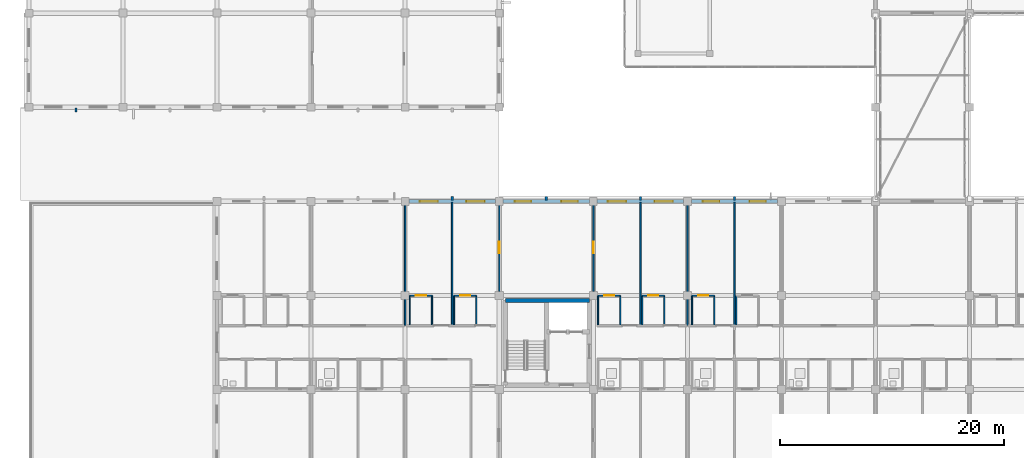
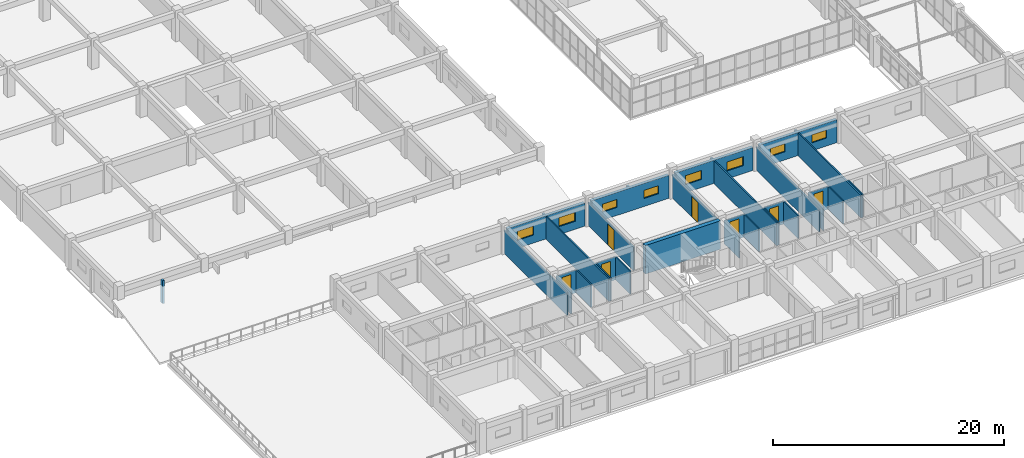
# One storey, part 112 of 148: 33 walls, 8 windows, 7 doors, 15 openings.
"""IFC4 building model written with IfcOpenShell, lengths in metres."""

import ifcopenshell
import ifcopenshell.guid

model = None  # the IFC model being written
_history = None  # IfcOwnerHistory: only IFC2X3 demands one
_inside = {}  # id of a spatial element -> (the spatial element, [elements in it])
_under = {}  # id of a project, library or spatial element -> (it, [spatial elements below it])
_declared = {}  # id of a project -> (the project, [libraries it declares])
_typed = {}  # id of a type object -> (the type object, [elements of that type])
_made_of = {}  # id of a material, layer set ... -> (it, [elements and type objects made of it])


def new_model(schema):
    """Start an empty IFC model of exactly this schema.

    Asked for "IFC4X3", IfcOpenShell would pick the latest addendum, in which some entities
    have other attributes; the version numbers below select the first issue.
    IFC2X3 requires an IfcOwnerHistory on every rooted entity: one is made here for all.
    """
    global model, _history
    if schema == "IFC4X3":
        model = ifcopenshell.file(schema_version=(4, 3, 0, 0))
    else:
        model = ifcopenshell.file(schema=schema)
    _inside.clear()
    _under.clear()
    _declared.clear()
    _typed.clear()
    _made_of.clear()
    _history = None
    if model.schema == "IFC2X3":
        org = make("IfcOrganization", Name="unknown")
        user = make(
            "IfcPersonAndOrganization",
            ThePerson=make("IfcPerson", FamilyName="unknown"),
            TheOrganization=org,
        )
        app = make(
            "IfcApplication",
            ApplicationDeveloper=org,
            Version="unknown",
            ApplicationFullName="unknown",
            ApplicationIdentifier="unknown",
        )
        _history = make(
            "IfcOwnerHistory",
            OwningUser=user,
            OwningApplication=app,
            ChangeAction="ADDED",
            CreationDate=0,
        )
    return model


def make(cls, **values):
    """One entity of the class cls with the attributes given. An attribute that is None is left unset."""
    return model.create_entity(
        cls, **{name: value for name, value in values.items() if value is not None}
    )


def rooted(cls, **values):
    """An entity with a GlobalId (a new one), such as an element, a storey or a relation."""
    return make(cls, GlobalId=ifcopenshell.guid.new(), OwnerHistory=_history, **values)


def si_unit(unit_type, name, prefix=None):
    """IfcSIUnit, for example si_unit("LENGTHUNIT", "METRE", prefix="MILLI")."""
    return make("IfcSIUnit", UnitType=unit_type, Prefix=prefix, Name=name)


def assignment(units):
    """IfcUnitAssignment: the units of a project."""
    return None if units is None else make("IfcUnitAssignment", Units=units)


def point(xyz):
    """IfcCartesianPoint."""
    return None if xyz is None else make("IfcCartesianPoint", Coordinates=xyz)


def direction(xyz):
    """IfcDirection."""
    return None if xyz is None else make("IfcDirection", DirectionRatios=xyz)


def frame(location, z_axis=None, x_axis=None):
    """IfcAxis2Placement3D, a coordinate frame: its origin and axes. An axis left out is left unset."""
    return make(
        "IfcAxis2Placement3D",
        Location=point(location),
        Axis=direction(z_axis),
        RefDirection=direction(x_axis),
    )


def frame_2d(location, x_axis=None):
    """IfcAxis2Placement2D, a coordinate frame in the plane: its origin and x axis."""
    return make(
        "IfcAxis2Placement2D", Location=point(location), RefDirection=direction(x_axis)
    )


def origin():
    """The frame at (0, 0, 0) with its axes left unset."""
    return frame((0.0, 0.0, 0.0))


def place(relative_to, where):
    """IfcLocalPlacement: puts the frame where relative to a parent placement (None: the world)."""
    return make(
        "IfcLocalPlacement", PlacementRelTo=relative_to, RelativePlacement=where
    )


def context(
    kind, dimensions, precision=None, world=None, true_north=None, identifier=None
):
    """IfcGeometricRepresentationContext, for example the 3D "Model" context."""
    return make(
        "IfcGeometricRepresentationContext",
        ContextIdentifier=identifier,
        ContextType=kind,
        CoordinateSpaceDimension=dimensions,
        Precision=precision,
        WorldCoordinateSystem=world,
        TrueNorth=true_north,
    )


def subcontext(parent, identifier, kind, view, scale=None):
    """IfcGeometricRepresentationSubContext, for example "Body" below "Model"."""
    return make(
        "IfcGeometricRepresentationSubContext",
        ContextIdentifier=identifier,
        ContextType=kind,
        ParentContext=parent,
        TargetScale=scale,
        TargetView=view,
    )


def project(units=None, contexts=None):
    """IfcProject with its units and contexts."""
    return rooted(
        "IfcProject",
        Name="project",
        RepresentationContexts=contexts,
        UnitsInContext=assignment(units),
    )


def spatial(cls, under=None, at=None, **own):
    """A site, building, storey or space (cls), placed at a placement, below another one or the project."""
    s = rooted(cls, ObjectPlacement=at, **own)
    if under is not None:
        _under.setdefault(under.id(), (under, []))[1].append(s)
    return s


def profile(cls, at=None, kind="AREA", **sizes):
    """A parametric profile (cls). Its sizes go by their IFC names, for example OverallWidth=200.0."""
    return make(cls, ProfileType=kind, Position=at, **sizes)


def rectangle(**sizes):
    """IfcRectangleProfileDef."""
    return profile("IfcRectangleProfileDef", **sizes)


def extrude(swept, where, along, depth):
    """IfcExtrudedAreaSolid: the profile swept, set in the frame where, extruded along a direction by depth."""
    return make(
        "IfcExtrudedAreaSolid",
        SweptArea=swept,
        Position=where,
        ExtrudedDirection=direction(along),
        Depth=depth,
    )


def shape(context_of_items, identifier, shape_type, items):
    """IfcShapeRepresentation: the items that make up one representation, for example the "Body"."""
    return make(
        "IfcShapeRepresentation",
        ContextOfItems=context_of_items,
        RepresentationIdentifier=identifier,
        RepresentationType=shape_type,
        Items=items,
    )


def material(Name=None, Category=None):
    """IfcMaterial."""
    return make("IfcMaterial", Name=Name, Category=Category)


def layer(
    of_material, thickness, ventilated=None, Name=None, Category=None, Priority=None
):
    """IfcMaterialLayer: one layer of a wall or slab, of a material (None: an air gap)."""
    return make(
        "IfcMaterialLayer",
        Material=of_material,
        LayerThickness=thickness,
        IsVentilated=ventilated,
        Name=Name,
        Category=Category,
        Priority=Priority,
    )


def layer_set(layers, Name=None):
    """IfcMaterialLayerSet."""
    return make("IfcMaterialLayerSet", MaterialLayers=layers, LayerSetName=Name)


def made_of(thing, what):
    """Note that an element or type object is made of a material, layer set ...; save() writes the relation."""
    if what is not None:
        _made_of.setdefault(what.id(), (what, []))[1].append(thing)
    return thing


def type_object(cls, material=None, **own):
    """A type object (cls), such as IfcWallType, which elements share."""
    return made_of(rooted(cls, **own), material)


def element(
    cls,
    number,
    at=None,
    inside=None,
    cuts=None,
    type_object=None,
    material=None,
    context=None,
    identifier="Body",
    shape_type=None,
    held_by="IfcProductDefinitionShape",
    body=None,
    shapes=None,
    **own,
):
    """One element of the class cls, such as IfcWall. Its Tag is "e" and its number.

    at: its placement. inside: the storey or other place that contains it. cuts: it is an
    opening in that element (IfcRelVoidsElement). A single representation is given by context,
    identifier, shape_type and body (its items); several are given by shapes. held_by: the class
    of the entity that holds the representations. save() writes the other relations.
    """
    e = rooted(cls, Tag="e%d" % number, ObjectPlacement=at, **own)
    if body is not None:
        shapes = [shape(context, identifier, shape_type, body)]
    if shapes is not None:
        e.Representation = make(held_by, Representations=shapes)
    if inside is not None:
        _inside.setdefault(inside.id(), (inside, []))[1].append(e)
    if cuts is not None:
        rooted(
            "IfcRelVoidsElement", RelatingBuildingElement=cuts, RelatedOpeningElement=e
        )
    if type_object is not None:
        _typed.setdefault(type_object.id(), (type_object, []))[1].append(e)
    return made_of(e, material)


def fill(opening, filler):
    """IfcRelFillsElement: the door or window that sits in an opening."""
    return rooted(
        "IfcRelFillsElement",
        RelatingOpeningElement=opening,
        RelatedBuildingElement=filler,
    )


def aggregate(whole, parts):
    """IfcRelAggregates: a whole, such as a stair, and the parts it consists of."""
    return rooted("IfcRelAggregates", RelatingObject=whole, RelatedObjects=parts)


def save(model, path):
    """Write the relations noted so far, then the file.

    IfcRelAggregates (storeys below a building ...), IfcRelContainedInSpatialStructure (elements
    in a storey), IfcRelDefinesByType, IfcRelAssociatesMaterial and IfcRelDeclares: one each for
    every whole, place, type object, material and project.
    """
    for whole, parts in _under.values():
        aggregate(whole, parts)
    for where, things in _inside.values():
        rooted(
            "IfcRelContainedInSpatialStructure",
            RelatedElements=things,
            RelatingStructure=where,
        )
    for kind, things in _typed.values():
        rooted("IfcRelDefinesByType", RelatedObjects=things, RelatingType=kind)
    for what, things in _made_of.values():
        rooted("IfcRelAssociatesMaterial", RelatedObjects=things, RelatingMaterial=what)
    for by, libraries in _declared.values():
        rooted("IfcRelDeclares", RelatingContext=by, RelatedDefinitions=libraries)
    model.write(path)


model = new_model("IFC4")

# Units and contexts
model_context = context("Model", 3, precision=1e-05, world=origin(), true_north=direction((0.0, 1.0)))
body_context = subcontext(model_context, "Body", "Model", "MODEL_VIEW")
ifc_project = project(units=[si_unit("LENGTHUNIT", "METRE"), si_unit("AREAUNIT", "SQUARE_METRE"), si_unit("VOLUMEUNIT", "CUBIC_METRE"), si_unit("PLANEANGLEUNIT", "RADIAN"), si_unit("MASSUNIT", "GRAM", prefix="KILO")], contexts=[model_context])

# Site, building, storey
site_placement = place(None, origin())
site = spatial("IfcSite", under=ifc_project, at=site_placement, CompositionType="ELEMENT")
building_placement = place(site_placement, origin())
building = spatial("IfcBuilding", under=site, at=building_placement, Name="Trelvath General Hospital", CompositionType="ELEMENT")
storey_placement = place(building_placement, frame((0.0, 0.0, 12.89990234375)))
storey = spatial("IfcBuildingStorey", under=building, at=storey_placement, Name="L03", CompositionType="ELEMENT", Elevation=12.89990234375)

# Walls
ifc_material_1 = material(Name="Precast concrete C40/50", Category="concrete")
ifc_layer_1 = layer(ifc_material_1, 0.199951171875)
ifc_layer_set_1 = layer_set([ifc_layer_1], Name="Precast concrete C40/50")
wall_type_1 = type_object("IfcWallType", Name="BriseSoleilRib 200", PredefinedType="ELEMENTEDWALL", material=ifc_layer_set_1)
wall_1_placement = place(storey_placement, frame((4.199951171875, 33.52490234375, 0.0), z_axis=(0.0, 0.0, 1.0), x_axis=(0.0, -1.0, 0.0)))
element("IfcWall", 1, at=wall_1_placement, inside=storey, type_object=wall_type_1, Name="Precast Concrete Brise-Soleil Rib Fin L03-226", PredefinedType="ELEMENTEDWALL", context=body_context, shape_type="SweptSolid", body=[
    extrude(rectangle(XDim=0.33984375, YDim=0.199951171875, at=frame_2d((0.169921875, 0.0))), origin(), (0.0, 0.0, 1.0), 2.420166015625),
])
for number, where, z_axis, x_axis, name in (
    (2, (37.800048828125, 25.27490234375, 0.0), (0.0, 0.0, 1.0), (0.0, 1.0, 0.0), "Precast Concrete Brise-Soleil Rib Fin L03-247"),
    (3, (46.199951171875, 25.27490234375, 0.0), (0.0, 0.0, 1.0), (0.0, 1.0, 0.0), "Precast Concrete Brise-Soleil Rib Fin L03-258"),
    (4, (54.60009765625, 25.27490234375, 0.0), (0.0, 0.0, 1.0), (0.0, 1.0, 0.0), "Precast Concrete Brise-Soleil Rib Fin L03-261"),
    (5, (63.0, 25.27490234375, 0.0), (0.0, 0.0, 1.0), (0.0, 1.0, 0.0), "Precast Concrete Brise-Soleil Rib Fin L03-265"),
):
    element("IfcWall", number, at=place(storey_placement, frame(where, z_axis=z_axis, x_axis=x_axis)), inside=storey, type_object=wall_type_1, Name=name, PredefinedType="ELEMENTEDWALL", context=body_context, shape_type="SweptSolid", body=[
        extrude(rectangle(XDim=0.340087890625, YDim=0.199951171875, at=frame_2d((0.169921875, 0.0))), origin(), (0.0, 0.0, 1.0), 2.420166015625),
    ])
ifc_material_2 = material(Name="Concrete C40/50", Category="concrete")
ifc_layer_2 = layer(ifc_material_2, 0.39990234375)
ifc_layer_set_2 = layer_set([ifc_layer_2], Name="Concrete C40/50")
wall_type_2 = type_object("IfcWallType", Name="CoreShearWall 400", PredefinedType="SHEAR", material=ifc_layer_set_2)
wall_2_placement = place(storey_placement, frame((42.550048828125, 16.35009765625, 0.0), z_axis=(0.0, 0.0, 1.0), x_axis=(1.0, 0.0, 0.0)))
element("IfcWall", 6, at=wall_2_placement, inside=storey, type_object=wall_type_2, Name="Core Shear Wall C4 N L03", PredefinedType="SHEAR", context=body_context, shape_type="SweptSolid", body=[
    extrude(rectangle(XDim=7.5, YDim=0.39990234375, at=frame_2d((3.75, 0.0))), origin(), (0.0, 0.0, 1.0), 3.02001953125),
])
ifc_material_3 = material(Name="Moisture-resistant tile partition")
ifc_layer_3 = layer(ifc_material_3, 0.110107421875)
ifc_layer_set_3 = layer_set([ifc_layer_3], Name="Moisture-resistant tile partition")
wall_type_3 = type_object("IfcWallType", Name="EnSuiteWetWall 110", PredefinedType="PARTITIONING", material=ifc_layer_set_3)
for number, where, z_axis, x_axis, name in (
    (7, (34.02001953125, 14.169921875, 0.0), (0.0, 0.0, 1.0), (0.0, 1.0, 0.0), "En-Suite W Wall N L03-1085"),
    (8, (36.0, 14.169921875, 0.0), (0.0, 0.0, 1.0), (0.0, 1.0, 0.0), "En-Suite E Wall N L03-1086"),
):
    element("IfcWall", number, at=place(storey_placement, frame(where, z_axis=z_axis, x_axis=x_axis)), inside=storey, type_object=wall_type_3, Name=name, PredefinedType="PARTITIONING", context=body_context, shape_type="SweptSolid", body=[
        extrude(rectangle(XDim=2.610107421875, YDim=0.110107421875, at=frame_2d((1.30517578125, 0.0))), origin(), (0.0, 0.0, 1.0), 2.420166015625),
    ])

# Wall, opening, door
wall_3_placement = place(storey_placement, frame((34.02001953125, 16.780029296875, 0.0), z_axis=(0.0, 0.0, 1.0), x_axis=(1.0, 0.0, 0.0)))
wall_3 = element("IfcWall", 9, at=wall_3_placement, inside=storey, type_object=wall_type_3, Name="En-Suite Bathroom N Partition L03-1087", PredefinedType="PARTITIONING", context=body_context, shape_type="SweptSolid", body=[
    extrude(rectangle(XDim=1.97998046875, YDim=0.110107421875, at=frame_2d((0.989990234375, 0.0))), origin(), (0.0, 0.0, 1.0), 2.420166015625),
])
opening_1_placement = place(wall_3_placement, frame((0.5400390625, 0.0, 0.0)))
opening_1 = element("IfcOpeningElement", 10, at=opening_1_placement, cuts=wall_3, Name="Opening D-3-0830", PredefinedType="OPENING", context=body_context, shape_type="SweptSolid", body=[
    extrude(rectangle(XDim=0.89990234375, YDim=2.10009765625, at=frame_2d((0.449951171875, 1.050048828125))), frame((0.0, 0.06494140625, 0.0), z_axis=(0.0, -1.0, 0.0), x_axis=(1.0, 0.0, 0.0)), (0.0, 0.0, 1.0), 0.130126953125),
])
ifc_material_4 = material(Name="Moisture-sealed timber leaf", Category="wood")
door_type_1 = type_object("IfcDoorType", Name="Door EnSuite 900x2100", OperationType="NOTDEFINED", PredefinedType="DOOR", material=ifc_material_4)
door_1_placement = place(opening_1_placement, origin())
door_1 = element("IfcDoor", 11, at=door_1_placement, inside=storey, type_object=door_type_1, Name="En-Suite Bathroom N Door L03-830", OperationType="SINGLE_SWING_RIGHT", OverallHeight=2.10009765625, OverallWidth=0.89990234375, PredefinedType="DOOR", context=body_context, shape_type="SweptSolid", body=[
    extrude(rectangle(XDim=0.89990234375, YDim=2.10009765625, at=frame_2d((0.449951171875, 1.050048828125))), frame((0.0, 0.02490234375, 0.0), z_axis=(0.0, -1.0, 0.0), x_axis=(1.0, 0.0, 0.0)), (0.0, 0.0, 1.0), 0.050048828125),
])
fill(opening_1, door_1)

# Walls
for number, where, z_axis, x_axis, name in (
    (12, (37.9599609375, 14.169921875, 0.0), (0.0, 0.0, 1.0), (0.0, 1.0, 0.0), "En-Suite W Wall N L03-1088"),
    (13, (39.93994140625, 14.169921875, 0.0), (0.0, 0.0, 1.0), (0.0, 1.0, 0.0), "En-Suite E Wall N L03-1089"),
):
    element("IfcWall", number, at=place(storey_placement, frame(where, z_axis=z_axis, x_axis=x_axis)), inside=storey, type_object=wall_type_3, Name=name, PredefinedType="PARTITIONING", context=body_context, shape_type="SweptSolid", body=[
        extrude(rectangle(XDim=2.610107421875, YDim=0.110107421875, at=frame_2d((1.30517578125, 0.0))), origin(), (0.0, 0.0, 1.0), 2.420166015625),
    ])

# Wall, opening, door
wall_4_placement = place(storey_placement, frame((37.9599609375, 16.780029296875, 0.0), z_axis=(0.0, 0.0, 1.0), x_axis=(1.0, 0.0, 0.0)))
wall_4 = element("IfcWall", 14, at=wall_4_placement, inside=storey, type_object=wall_type_3, Name="En-Suite Bathroom N Partition L03-1090", PredefinedType="PARTITIONING", context=body_context, shape_type="SweptSolid", body=[
    extrude(rectangle(XDim=1.97998046875, YDim=0.110107421875, at=frame_2d((0.989990234375, 0.0))), origin(), (0.0, 0.0, 1.0), 2.420166015625),
])
opening_2_placement = place(wall_4_placement, frame((0.5400390625, 0.0, 0.0)))
opening_2 = element("IfcOpeningElement", 15, at=opening_2_placement, cuts=wall_4, Name="Opening D-3-0831", PredefinedType="OPENING", context=body_context, shape_type="SweptSolid", body=[
    extrude(rectangle(XDim=0.89990234375, YDim=2.10009765625, at=frame_2d((0.449951171875, 1.050048828125))), frame((0.0, 0.06494140625, 0.0), z_axis=(0.0, -1.0, 0.0), x_axis=(1.0, 0.0, 0.0)), (0.0, 0.0, 1.0), 0.130126953125),
])
door_2_placement = place(opening_2_placement, origin())
door_2 = element("IfcDoor", 16, at=door_2_placement, inside=storey, type_object=door_type_1, Name="En-Suite Bathroom N Door L03-831", OperationType="SINGLE_SWING_LEFT", OverallHeight=2.10009765625, OverallWidth=0.89990234375, PredefinedType="DOOR", context=body_context, shape_type="SweptSolid", body=[
    extrude(rectangle(XDim=0.89990234375, YDim=2.10009765625, at=frame_2d((0.449951171875, 1.050048828125))), frame((0.0, 0.02490234375, 0.0), z_axis=(0.0, -1.0, 0.0), x_axis=(1.0, 0.0, 0.0)), (0.0, 0.0, 1.0), 0.050048828125),
])
fill(opening_2, door_2)

# Walls
for number, where, z_axis, x_axis, name in (
    (17, (50.820068359375, 14.169921875, 0.0), (0.0, 0.0, 1.0), (0.0, 1.0, 0.0), "En-Suite W Wall N L03-1106"),
    (18, (52.800048828125, 14.169921875, 0.0), (0.0, 0.0, 1.0), (0.0, 1.0, 0.0), "En-Suite E Wall N L03-1107"),
):
    element("IfcWall", number, at=place(storey_placement, frame(where, z_axis=z_axis, x_axis=x_axis)), inside=storey, type_object=wall_type_3, Name=name, PredefinedType="PARTITIONING", context=body_context, shape_type="SweptSolid", body=[
        extrude(rectangle(XDim=2.610107421875, YDim=0.110107421875, at=frame_2d((1.30517578125, 0.0))), origin(), (0.0, 0.0, 1.0), 2.420166015625),
    ])

# Wall, opening, door
wall_5_placement = place(storey_placement, frame((50.820068359375, 16.780029296875, 0.0), z_axis=(0.0, 0.0, 1.0), x_axis=(1.0, 0.0, 0.0)))
wall_5 = element("IfcWall", 19, at=wall_5_placement, inside=storey, type_object=wall_type_3, Name="En-Suite Bathroom N Partition L03-1108", PredefinedType="PARTITIONING", context=body_context, shape_type="SweptSolid", body=[
    extrude(rectangle(XDim=1.97998046875, YDim=0.110107421875, at=frame_2d((0.989990234375, 0.0))), origin(), (0.0, 0.0, 1.0), 2.420166015625),
])
opening_3_placement = place(wall_5_placement, frame((0.5400390625, 0.0, 0.0)))
opening_3 = element("IfcOpeningElement", 20, at=opening_3_placement, cuts=wall_5, Name="Opening D-3-0842", PredefinedType="OPENING", context=body_context, shape_type="SweptSolid", body=[
    extrude(rectangle(XDim=0.89990234375, YDim=2.10009765625, at=frame_2d((0.449951171875, 1.050048828125))), frame((0.0, 0.06494140625, 0.0), z_axis=(0.0, -1.0, 0.0), x_axis=(1.0, 0.0, 0.0)), (0.0, 0.0, 1.0), 0.130126953125),
])
door_3_placement = place(opening_3_placement, origin())
door_3 = element("IfcDoor", 21, at=door_3_placement, inside=storey, type_object=door_type_1, Name="En-Suite Bathroom N Door L03-842", OperationType="SINGLE_SWING_LEFT", OverallHeight=2.10009765625, OverallWidth=0.89990234375, PredefinedType="DOOR", context=body_context, shape_type="SweptSolid", body=[
    extrude(rectangle(XDim=0.89990234375, YDim=2.10009765625, at=frame_2d((0.449951171875, 1.050048828125))), frame((0.0, 0.02490234375, 0.0), z_axis=(0.0, -1.0, 0.0), x_axis=(1.0, 0.0, 0.0)), (0.0, 0.0, 1.0), 0.050048828125),
])
fill(opening_3, door_3)

# Walls
for number, where, z_axis, x_axis, name in (
    (22, (54.760009765625, 14.169921875, 0.0), (0.0, 0.0, 1.0), (0.0, 1.0, 0.0), "En-Suite W Wall N L03-1109"),
    (23, (56.739990234375, 14.169921875, 0.0), (0.0, 0.0, 1.0), (0.0, 1.0, 0.0), "En-Suite E Wall N L03-1110"),
):
    element("IfcWall", number, at=place(storey_placement, frame(where, z_axis=z_axis, x_axis=x_axis)), inside=storey, type_object=wall_type_3, Name=name, PredefinedType="PARTITIONING", context=body_context, shape_type="SweptSolid", body=[
        extrude(rectangle(XDim=2.610107421875, YDim=0.110107421875, at=frame_2d((1.30517578125, 0.0))), origin(), (0.0, 0.0, 1.0), 2.420166015625),
    ])

# Wall, opening, door
wall_6_placement = place(storey_placement, frame((54.760009765625, 16.780029296875, 0.0), z_axis=(0.0, 0.0, 1.0), x_axis=(1.0, 0.0, 0.0)))
wall_6 = element("IfcWall", 24, at=wall_6_placement, inside=storey, type_object=wall_type_3, Name="En-Suite Bathroom N Partition L03-1111", PredefinedType="PARTITIONING", context=body_context, shape_type="SweptSolid", body=[
    extrude(rectangle(XDim=1.97998046875, YDim=0.110107421875, at=frame_2d((0.989990234375, 0.0))), origin(), (0.0, 0.0, 1.0), 2.420166015625),
])
opening_4_placement = place(wall_6_placement, frame((0.5400390625, 0.0, 0.0)))
opening_4 = element("IfcOpeningElement", 25, at=opening_4_placement, cuts=wall_6, Name="Opening D-3-0843", PredefinedType="OPENING", context=body_context, shape_type="SweptSolid", body=[
    extrude(rectangle(XDim=0.89990234375, YDim=2.10009765625, at=frame_2d((0.449951171875, 1.050048828125))), frame((0.0, 0.06494140625, 0.0), z_axis=(0.0, -1.0, 0.0), x_axis=(1.0, 0.0, 0.0)), (0.0, 0.0, 1.0), 0.130126953125),
])
door_4_placement = place(opening_4_placement, origin())
door_4 = element("IfcDoor", 26, at=door_4_placement, inside=storey, type_object=door_type_1, Name="En-Suite Bathroom N Door L03-843", OperationType="SINGLE_SWING_RIGHT", OverallHeight=2.10009765625, OverallWidth=0.89990234375, PredefinedType="DOOR", context=body_context, shape_type="SweptSolid", body=[
    extrude(rectangle(XDim=0.89990234375, YDim=2.10009765625, at=frame_2d((0.449951171875, 1.050048828125))), frame((0.0, 0.02490234375, 0.0), z_axis=(0.0, -1.0, 0.0), x_axis=(1.0, 0.0, 0.0)), (0.0, 0.0, 1.0), 0.050048828125),
])
fill(opening_4, door_4)

# Walls
for number, where, z_axis, x_axis, name in (
    (27, (59.219970703125, 14.169921875, 0.0), (0.0, 0.0, 1.0), (0.0, 1.0, 0.0), "En-Suite W Wall N L03-1124"),
    (28, (61.199951171875, 14.169921875, 0.0), (0.0, 0.0, 1.0), (0.0, 1.0, 0.0), "En-Suite E Wall N L03-1125"),
):
    element("IfcWall", number, at=place(storey_placement, frame(where, z_axis=z_axis, x_axis=x_axis)), inside=storey, type_object=wall_type_3, Name=name, PredefinedType="PARTITIONING", context=body_context, shape_type="SweptSolid", body=[
        extrude(rectangle(XDim=2.610107421875, YDim=0.110107421875, at=frame_2d((1.30517578125, 0.0))), origin(), (0.0, 0.0, 1.0), 2.420166015625),
    ])

# Wall, opening, door
wall_7_placement = place(storey_placement, frame((59.219970703125, 16.780029296875, 0.0), z_axis=(0.0, 0.0, 1.0), x_axis=(1.0, 0.0, 0.0)))
wall_7 = element("IfcWall", 29, at=wall_7_placement, inside=storey, type_object=wall_type_3, Name="En-Suite Bathroom N Partition L03-1126", PredefinedType="PARTITIONING", context=body_context, shape_type="SweptSolid", body=[
    extrude(rectangle(XDim=1.97998046875, YDim=0.110107421875, at=frame_2d((0.989990234375, 0.0))), origin(), (0.0, 0.0, 1.0), 2.420166015625),
])
opening_5_placement = place(wall_7_placement, frame((0.5400390625, 0.0, 0.0)))
opening_5 = element("IfcOpeningElement", 30, at=opening_5_placement, cuts=wall_7, Name="Opening D-3-0850", PredefinedType="OPENING", context=body_context, shape_type="SweptSolid", body=[
    extrude(rectangle(XDim=0.89990234375, YDim=2.10009765625, at=frame_2d((0.449951171875, 1.050048828125))), frame((0.0, 0.06494140625, 0.0), z_axis=(0.0, -1.0, 0.0), x_axis=(1.0, 0.0, 0.0)), (0.0, 0.0, 1.0), 0.130126953125),
])
door_5_placement = place(opening_5_placement, origin())
door_5 = element("IfcDoor", 31, at=door_5_placement, inside=storey, type_object=door_type_1, Name="En-Suite Bathroom N Door L03-850", OperationType="SINGLE_SWING_RIGHT", OverallHeight=2.10009765625, OverallWidth=0.89990234375, PredefinedType="DOOR", context=body_context, shape_type="SweptSolid", body=[
    extrude(rectangle(XDim=0.89990234375, YDim=2.10009765625, at=frame_2d((0.449951171875, 1.050048828125))), frame((0.0, 0.02490234375, 0.0), z_axis=(0.0, -1.0, 0.0), x_axis=(1.0, 0.0, 0.0)), (0.0, 0.0, 1.0), 0.050048828125),
])
fill(opening_5, door_5)

# Wall
wall_8_placement = place(storey_placement, frame((63.159912109375, 14.169921875, 0.0), z_axis=(0.0, 0.0, 1.0), x_axis=(0.0, 1.0, 0.0)))
element("IfcWall", 32, at=wall_8_placement, inside=storey, type_object=wall_type_3, Name="En-Suite W Wall N L03-1127", PredefinedType="PARTITIONING", context=body_context, shape_type="SweptSolid", body=[
    extrude(rectangle(XDim=2.610107421875, YDim=0.110107421875, at=frame_2d((1.30517578125, 0.0))), origin(), (0.0, 0.0, 1.0), 2.420166015625),
])

# Wall, openings, windows
ifc_material_5 = material(Name="Concrete C35/45", Category="concrete")
ifc_layer_4 = layer(ifc_material_5, 0.2900390625)
ifc_layer_set_4 = layer_set([ifc_layer_4], Name="Concrete C35/45")
wall_type_4 = type_object("IfcWallType", Name="ExtBushHammeredWall 290", PredefinedType="SOLIDWALL", material=ifc_layer_set_4)
wall_9_placement = place(storey_placement, frame((33.945068359375, 25.199951171875, 0.0), z_axis=(0.0, 0.0, 1.0), x_axis=(1.0, 0.0, 0.0)))
wall_9 = element("IfcWall", 33, at=wall_9_placement, inside=storey, type_object=wall_type_4, Name="Exterior Concrete Wall L03-355", PredefinedType="SOLIDWALL", context=body_context, shape_type="SweptSolid", body=[
    extrude(rectangle(XDim=7.7099609375, YDim=0.2900390625, at=frame_2d((3.85498046875, 0.0))), origin(), (0.0, 0.0, 1.0), 2.440185546875),
])
opening_6_placement = place(wall_9_placement, frame((0.96337890625, 0.0, 0.85009765625)))
opening_6 = element("IfcOpeningElement", 34, at=opening_6_placement, cuts=wall_9, Name="Opening WN-3-579", PredefinedType="OPENING", context=body_context, shape_type="SweptSolid", body=[
    extrude(rectangle(XDim=1.6201171875, YDim=0.949951171875, at=frame_2d((0.81005859375, 0.47509765625))), frame((0.0, 0.155029296875, 0.0), z_axis=(0.0, -1.0, 0.0), x_axis=(1.0, 0.0, 0.0)), (0.0, 0.0, 1.0), 0.31005859375),
])
opening_7_placement = place(wall_9_placement, frame((5.126708984375, 0.0, 0.85009765625)))
opening_7 = element("IfcOpeningElement", 35, at=opening_7_placement, cuts=wall_9, Name="Opening WN-3-580", PredefinedType="OPENING", context=body_context, shape_type="SweptSolid", body=[
    extrude(rectangle(XDim=1.6201171875, YDim=0.949951171875, at=frame_2d((0.81005859375, 0.47509765625))), frame((0.0, 0.155029296875, 0.0), z_axis=(0.0, -1.0, 0.0), x_axis=(1.0, 0.0, 0.0)), (0.0, 0.0, 1.0), 0.31005859375),
])
ifc_material_6 = material(Name="Low-E laminated glass", Category="glass")
window_type_1 = type_object("IfcWindowType", Name="Window EmergencyClere 1620x950", PartitioningType="DOUBLE_PANEL_VERTICAL", PredefinedType="WINDOW", material=ifc_material_6)
window_1_placement = place(opening_6_placement, origin())
window_1 = element("IfcWindow", 36, at=window_1_placement, inside=storey, type_object=window_type_1, Name="Solar Reveal Window L03-579", OverallHeight=0.949951171875, OverallWidth=1.6201171875, PartitioningType="SINGLE_PANEL", PredefinedType="WINDOW", context=body_context, shape_type="SweptSolid", body=[
    extrude(rectangle(XDim=1.6201171875, YDim=0.949951171875, at=frame_2d((0.81005859375, 0.47509765625))), frame((0.0, 0.030029296875, 0.0), z_axis=(0.0, -1.0, 0.0), x_axis=(1.0, 0.0, 0.0)), (0.0, 0.0, 1.0), 0.06005859375),
])
fill(opening_6, window_1)
window_2_placement = place(opening_7_placement, origin())
window_2 = element("IfcWindow", 37, at=window_2_placement, inside=storey, type_object=window_type_1, Name="Solar Reveal Window L03-580", OverallHeight=0.949951171875, OverallWidth=1.6201171875, PartitioningType="SINGLE_PANEL", PredefinedType="WINDOW", context=body_context, shape_type="SweptSolid", body=[
    extrude(rectangle(XDim=1.6201171875, YDim=0.949951171875, at=frame_2d((0.81005859375, 0.47509765625))), frame((0.0, 0.030029296875, 0.0), z_axis=(0.0, -1.0, 0.0), x_axis=(1.0, 0.0, 0.0)), (0.0, 0.0, 1.0), 0.06005859375),
])
fill(opening_7, window_2)

wall_10_placement = place(storey_placement, frame((42.344970703125, 25.199951171875, 0.0), z_axis=(0.0, 0.0, 1.0), x_axis=(1.0, 0.0, 0.0)))
wall_10 = element("IfcWall", 38, at=wall_10_placement, inside=storey, type_object=wall_type_4, Name="Exterior Concrete Wall L03-366", PredefinedType="SOLIDWALL", context=body_context, shape_type="SweptSolid", body=[
    extrude(rectangle(XDim=7.7099609375, YDim=0.2900390625, at=frame_2d((3.85498046875, 0.0))), origin(), (0.0, 0.0, 1.0), 2.440185546875),
])
opening_8_placement = place(wall_10_placement, frame((1.043212890625, 0.0, 0.85009765625)))
opening_8 = element("IfcOpeningElement", 39, at=opening_8_placement, cuts=wall_10, Name="Opening WN-3-601", PredefinedType="OPENING", context=body_context, shape_type="SweptSolid", body=[
    extrude(rectangle(XDim=1.4599609375, YDim=0.85009765625, at=frame_2d((0.72998046875, 0.425048828125))), frame((0.0, 0.155029296875, 0.0), z_axis=(0.0, -1.0, 0.0), x_axis=(1.0, 0.0, 0.0)), (0.0, 0.0, 1.0), 0.31005859375),
])
opening_9_placement = place(wall_10_placement, frame((5.206787109375, 0.0, 0.85009765625)))
opening_9 = element("IfcOpeningElement", 40, at=opening_9_placement, cuts=wall_10, Name="Opening WN-3-602", PredefinedType="OPENING", context=body_context, shape_type="SweptSolid", body=[
    extrude(rectangle(XDim=1.4599609375, YDim=0.85009765625, at=frame_2d((0.72998046875, 0.425048828125))), frame((0.0, 0.155029296875, 0.0), z_axis=(0.0, -1.0, 0.0), x_axis=(1.0, 0.0, 0.0)), (0.0, 0.0, 1.0), 0.31005859375),
])
ifc_material_7 = material(Name="Low-E laminated glass", Category="glass")
window_type_2 = type_object("IfcWindowType", Name="Window ImagingClere 1460x850", PartitioningType="DOUBLE_PANEL_VERTICAL", PredefinedType="WINDOW", material=ifc_material_7)
window_3_placement = place(opening_8_placement, origin())
window_3 = element("IfcWindow", 41, at=window_3_placement, inside=storey, type_object=window_type_2, Name="Solar Reveal Window L03-601", OverallHeight=0.85009765625, OverallWidth=1.4599609375, PartitioningType="SINGLE_PANEL", PredefinedType="WINDOW", context=body_context, shape_type="SweptSolid", body=[
    extrude(rectangle(XDim=1.4599609375, YDim=0.85009765625, at=frame_2d((0.72998046875, 0.425048828125))), frame((0.0, 0.030029296875, 0.0), z_axis=(0.0, -1.0, 0.0), x_axis=(1.0, 0.0, 0.0)), (0.0, 0.0, 1.0), 0.06005859375),
])
fill(opening_8, window_3)
window_4_placement = place(opening_9_placement, origin())
window_4 = element("IfcWindow", 42, at=window_4_placement, inside=storey, type_object=window_type_2, Name="Solar Reveal Window L03-602", OverallHeight=0.85009765625, OverallWidth=1.4599609375, PartitioningType="SINGLE_PANEL", PredefinedType="WINDOW", context=body_context, shape_type="SweptSolid", body=[
    extrude(rectangle(XDim=1.4599609375, YDim=0.85009765625, at=frame_2d((0.72998046875, 0.425048828125))), frame((0.0, 0.030029296875, 0.0), z_axis=(0.0, -1.0, 0.0), x_axis=(1.0, 0.0, 0.0)), (0.0, 0.0, 1.0), 0.06005859375),
])
fill(opening_9, window_4)

wall_11_placement = place(storey_placement, frame((50.7451171875, 25.199951171875, 0.0), z_axis=(0.0, 0.0, 1.0), x_axis=(1.0, 0.0, 0.0)))
wall_11 = element("IfcWall", 43, at=wall_11_placement, inside=storey, type_object=wall_type_4, Name="Exterior Concrete Wall L03-369", PredefinedType="SOLIDWALL", context=body_context, shape_type="SweptSolid", body=[
    extrude(rectangle(XDim=7.7099609375, YDim=0.2900390625, at=frame_2d((3.85498046875, 0.0))), origin(), (0.0, 0.0, 1.0), 2.440185546875),
])
opening_10_placement = place(wall_11_placement, frame((0.96337890625, 0.0, 0.85009765625)))
opening_10 = element("IfcOpeningElement", 44, at=opening_10_placement, cuts=wall_11, Name="Opening WN-3-607", PredefinedType="OPENING", context=body_context, shape_type="SweptSolid", body=[
    extrude(rectangle(XDim=1.6201171875, YDim=0.949951171875, at=frame_2d((0.81005859375, 0.47509765625))), frame((0.0, 0.155029296875, 0.0), z_axis=(0.0, -1.0, 0.0), x_axis=(1.0, 0.0, 0.0)), (0.0, 0.0, 1.0), 0.31005859375),
])
opening_11_placement = place(wall_11_placement, frame((5.126708984375, 0.0, 0.85009765625)))
opening_11 = element("IfcOpeningElement", 45, at=opening_11_placement, cuts=wall_11, Name="Opening WN-3-608", PredefinedType="OPENING", context=body_context, shape_type="SweptSolid", body=[
    extrude(rectangle(XDim=1.6201171875, YDim=0.949951171875, at=frame_2d((0.81005859375, 0.47509765625))), frame((0.0, 0.155029296875, 0.0), z_axis=(0.0, -1.0, 0.0), x_axis=(1.0, 0.0, 0.0)), (0.0, 0.0, 1.0), 0.31005859375),
])
window_5_placement = place(opening_10_placement, origin())
window_5 = element("IfcWindow", 46, at=window_5_placement, inside=storey, type_object=window_type_1, Name="Solar Reveal Window L03-607", OverallHeight=0.949951171875, OverallWidth=1.6201171875, PartitioningType="SINGLE_PANEL", PredefinedType="WINDOW", context=body_context, shape_type="SweptSolid", body=[
    extrude(rectangle(XDim=1.6201171875, YDim=0.949951171875, at=frame_2d((0.81005859375, 0.47509765625))), frame((0.0, 0.030029296875, 0.0), z_axis=(0.0, -1.0, 0.0), x_axis=(1.0, 0.0, 0.0)), (0.0, 0.0, 1.0), 0.06005859375),
])
fill(opening_10, window_5)
window_6_placement = place(opening_11_placement, origin())
window_6 = element("IfcWindow", 47, at=window_6_placement, inside=storey, type_object=window_type_1, Name="Solar Reveal Window L03-608", OverallHeight=0.949951171875, OverallWidth=1.6201171875, PartitioningType="SINGLE_PANEL", PredefinedType="WINDOW", context=body_context, shape_type="SweptSolid", body=[
    extrude(rectangle(XDim=1.6201171875, YDim=0.949951171875, at=frame_2d((0.81005859375, 0.47509765625))), frame((0.0, 0.030029296875, 0.0), z_axis=(0.0, -1.0, 0.0), x_axis=(1.0, 0.0, 0.0)), (0.0, 0.0, 1.0), 0.06005859375),
])
fill(opening_11, window_6)

wall_12_placement = place(storey_placement, frame((59.14501953125, 25.199951171875, 0.0), z_axis=(0.0, 0.0, 1.0), x_axis=(1.0, 0.0, 0.0)))
wall_12 = element("IfcWall", 48, at=wall_12_placement, inside=storey, type_object=wall_type_4, Name="Exterior Concrete Wall L03-373", PredefinedType="SOLIDWALL", context=body_context, shape_type="SweptSolid", body=[
    extrude(rectangle(XDim=7.7099609375, YDim=0.2900390625, at=frame_2d((3.85498046875, 0.0))), origin(), (0.0, 0.0, 1.0), 2.440185546875),
])
opening_12_placement = place(wall_12_placement, frame((1.043212890625, 0.0, 0.85009765625)))
opening_12 = element("IfcOpeningElement", 49, at=opening_12_placement, cuts=wall_12, Name="Opening WN-3-615", PredefinedType="OPENING", context=body_context, shape_type="SweptSolid", body=[
    extrude(rectangle(XDim=1.4599609375, YDim=0.85009765625, at=frame_2d((0.72998046875, 0.425048828125))), frame((0.0, 0.155029296875, 0.0), z_axis=(0.0, -1.0, 0.0), x_axis=(1.0, 0.0, 0.0)), (0.0, 0.0, 1.0), 0.31005859375),
])
opening_13_placement = place(wall_12_placement, frame((5.206787109375, 0.0, 0.85009765625)))
opening_13 = element("IfcOpeningElement", 50, at=opening_13_placement, cuts=wall_12, Name="Opening WN-3-616", PredefinedType="OPENING", context=body_context, shape_type="SweptSolid", body=[
    extrude(rectangle(XDim=1.4599609375, YDim=0.85009765625, at=frame_2d((0.72998046875, 0.425048828125))), frame((0.0, 0.155029296875, 0.0), z_axis=(0.0, -1.0, 0.0), x_axis=(1.0, 0.0, 0.0)), (0.0, 0.0, 1.0), 0.31005859375),
])
window_7_placement = place(opening_12_placement, origin())
window_7 = element("IfcWindow", 51, at=window_7_placement, inside=storey, type_object=window_type_2, Name="Solar Reveal Window L03-615", OverallHeight=0.85009765625, OverallWidth=1.4599609375, PartitioningType="SINGLE_PANEL", PredefinedType="WINDOW", context=body_context, shape_type="SweptSolid", body=[
    extrude(rectangle(XDim=1.4599609375, YDim=0.85009765625, at=frame_2d((0.72998046875, 0.425048828125))), frame((0.0, 0.030029296875, 0.0), z_axis=(0.0, -1.0, 0.0), x_axis=(1.0, 0.0, 0.0)), (0.0, 0.0, 1.0), 0.06005859375),
])
fill(opening_12, window_7)
window_8_placement = place(opening_13_placement, origin())
window_8 = element("IfcWindow", 52, at=window_8_placement, inside=storey, type_object=window_type_2, Name="Solar Reveal Window L03-616", OverallHeight=0.85009765625, OverallWidth=1.4599609375, PartitioningType="SINGLE_PANEL", PredefinedType="WINDOW", context=body_context, shape_type="SweptSolid", body=[
    extrude(rectangle(XDim=1.4599609375, YDim=0.85009765625, at=frame_2d((0.72998046875, 0.425048828125))), frame((0.0, 0.030029296875, 0.0), z_axis=(0.0, -1.0, 0.0), x_axis=(1.0, 0.0, 0.0)), (0.0, 0.0, 1.0), 0.06005859375),
])
fill(opening_13, window_8)

# Walls
ifc_material_8 = material(Name="Gypsum acoustic steel-stud partition", Category="steel")
ifc_layer_5 = layer(ifc_material_8, 0.1298828125)
ifc_layer_set_5 = layer_set([ifc_layer_5], Name="Gypsum acoustic steel-stud partition")
wall_type_5 = type_object("IfcWallType", Name="WardPartition 130", PredefinedType="PARTITIONING", material=ifc_layer_set_5)
wall_13_placement = place(storey_placement, frame((33.60009765625, 14.1201171875, 0.0), z_axis=(0.0, 0.0, 1.0), x_axis=(0.0, 1.0, 0.0)))
element("IfcWall", 53, at=wall_13_placement, inside=storey, type_object=wall_type_5, Name="Inter-Bay Ward Partition N L03-1079", PredefinedType="PARTITIONING", context=body_context, shape_type="SweptSolid", body=[
    extrude(rectangle(XDim=10.93994140625, YDim=0.1298828125, at=frame_2d((5.469970703125, 0.0))), origin(), (0.0, 0.0, 1.0), 2.420166015625),
])
wall_14_placement = place(storey_placement, frame((37.800048828125, 14.169921875, 0.0), z_axis=(0.0, 0.0, 1.0), x_axis=(0.0, 1.0, 0.0)))
element("IfcWall", 54, at=wall_14_placement, inside=storey, type_object=wall_type_5, Name="Room Dividing Partition N L03-1084", PredefinedType="PARTITIONING", context=body_context, shape_type="SweptSolid", body=[
    extrude(rectangle(XDim=10.93017578125, YDim=0.1298828125, at=frame_2d((5.465087890625, 0.0))), origin(), (0.0, 0.0, 1.0), 2.420166015625),
])

# Wall, opening, door
wall_15_placement = place(storey_placement, frame((42.0, 17.14990234375, 0.0), z_axis=(0.0, 0.0, 1.0), x_axis=(0.0, 1.0, 0.0)))
wall_15 = element("IfcWall", 55, at=wall_15_placement, inside=storey, type_object=wall_type_5, Name="Inter-Bay Ward Partition N L03-1092", PredefinedType="PARTITIONING", context=body_context, shape_type="SweptSolid", body=[
    extrude(rectangle(XDim=7.91015625, YDim=0.1298828125, at=frame_2d((3.955078125, 0.0))), origin(), (0.0, 0.0, 1.0), 2.420166015625),
])
opening_14_placement = place(wall_15_placement, frame((3.39990234375, 0.0, 0.0)))
opening_14 = element("IfcOpeningElement", 56, at=opening_14_placement, cuts=wall_15, Name="Opening D-3-0833", PredefinedType="OPENING", context=body_context, shape_type="SweptSolid", body=[
    extrude(rectangle(XDim=1.050048828125, YDim=2.199951171875, at=frame_2d((0.52490234375, 1.10009765625))), frame((0.0, 0.074951171875, 0.0), z_axis=(0.0, -1.0, 0.0), x_axis=(1.0, 0.0, 0.0)), (0.0, 0.0, 1.0), 0.14990234375),
])
ifc_material_9 = material(Name="Acoustic hospital timber leaf", Category="wood")
door_type_2 = type_object("IfcDoorType", Name="Door Consult 1050x2200", OperationType="NOTDEFINED", PredefinedType="DOOR", material=ifc_material_9)
door_6_placement = place(opening_14_placement, origin())
door_6 = element("IfcDoor", 57, at=door_6_placement, inside=storey, type_object=door_type_2, Name="Consultation Connecting Door L03-833", OperationType="SINGLE_SWING_LEFT", OverallHeight=2.199951171875, OverallWidth=1.050048828125, PredefinedType="DOOR", context=body_context, shape_type="SweptSolid", body=[
    extrude(rectangle(XDim=1.050048828125, YDim=2.199951171875, at=frame_2d((0.52490234375, 1.10009765625))), frame((0.0, 0.02490234375, 0.0), z_axis=(0.0, -1.0, 0.0), x_axis=(1.0, 0.0, 0.0)), (0.0, 0.0, 1.0), 0.050048828125),
])
fill(opening_14, door_6)

wall_16_placement = place(storey_placement, frame((50.39990234375, 17.14990234375, 0.0), z_axis=(0.0, 0.0, 1.0), x_axis=(0.0, 1.0, 0.0)))
wall_16 = element("IfcWall", 58, at=wall_16_placement, inside=storey, type_object=wall_type_5, Name="Inter-Bay Ward Partition N L03-1094", PredefinedType="PARTITIONING", context=body_context, shape_type="SweptSolid", body=[
    extrude(rectangle(XDim=7.91015625, YDim=0.1298828125, at=frame_2d((3.955078125, 0.0))), origin(), (0.0, 0.0, 1.0), 2.420166015625),
])
opening_15_placement = place(wall_16_placement, frame((3.39990234375, 0.0, 0.0)))
opening_15 = element("IfcOpeningElement", 59, at=opening_15_placement, cuts=wall_16, Name="Opening D-3-0835", PredefinedType="OPENING", context=body_context, shape_type="SweptSolid", body=[
    extrude(rectangle(XDim=1.050048828125, YDim=2.199951171875, at=frame_2d((0.52490234375, 1.10009765625))), frame((0.0, 0.074951171875, 0.0), z_axis=(0.0, -1.0, 0.0), x_axis=(1.0, 0.0, 0.0)), (0.0, 0.0, 1.0), 0.14990234375),
])
door_7_placement = place(opening_15_placement, origin())
door_7 = element("IfcDoor", 60, at=door_7_placement, inside=storey, type_object=door_type_2, Name="Consultation Connecting Door L03-835", OperationType="SINGLE_SWING_LEFT", OverallHeight=2.199951171875, OverallWidth=1.050048828125, PredefinedType="DOOR", context=body_context, shape_type="SweptSolid", body=[
    extrude(rectangle(XDim=1.050048828125, YDim=2.199951171875, at=frame_2d((0.52490234375, 1.10009765625))), frame((0.0, 0.02490234375, 0.0), z_axis=(0.0, -1.0, 0.0), x_axis=(1.0, 0.0, 0.0)), (0.0, 0.0, 1.0), 0.050048828125),
])
fill(opening_15, door_7)

# Walls
wall_17_placement = place(storey_placement, frame((54.60009765625, 14.169921875, 0.0), z_axis=(0.0, 0.0, 1.0), x_axis=(0.0, 1.0, 0.0)))
element("IfcWall", 61, at=wall_17_placement, inside=storey, type_object=wall_type_5, Name="Room Dividing Partition N L03-1105", PredefinedType="PARTITIONING", context=body_context, shape_type="SweptSolid", body=[
    extrude(rectangle(XDim=10.93017578125, YDim=0.1298828125, at=frame_2d((5.465087890625, 0.0))), origin(), (0.0, 0.0, 1.0), 2.420166015625),
])
wall_18_placement = place(storey_placement, frame((58.800048828125, 14.1201171875, 0.0), z_axis=(0.0, 0.0, 1.0), x_axis=(0.0, 1.0, 0.0)))
element("IfcWall", 62, at=wall_18_placement, inside=storey, type_object=wall_type_5, Name="Inter-Bay Ward Partition N L03-1113", PredefinedType="PARTITIONING", context=body_context, shape_type="SweptSolid", body=[
    extrude(rectangle(XDim=10.93994140625, YDim=0.1298828125, at=frame_2d((5.469970703125, 0.0))), origin(), (0.0, 0.0, 1.0), 2.420166015625),
])
wall_19_placement = place(storey_placement, frame((63.0, 14.169921875, 0.0), z_axis=(0.0, 0.0, 1.0), x_axis=(0.0, 1.0, 0.0)))
element("IfcWall", 63, at=wall_19_placement, inside=storey, type_object=wall_type_5, Name="Room Dividing Partition N L03-1123", PredefinedType="PARTITIONING", context=body_context, shape_type="SweptSolid", body=[
    extrude(rectangle(XDim=10.93017578125, YDim=0.1298828125, at=frame_2d((5.465087890625, 0.0))), origin(), (0.0, 0.0, 1.0), 2.420166015625),
])

save(model, "model.ifc")
